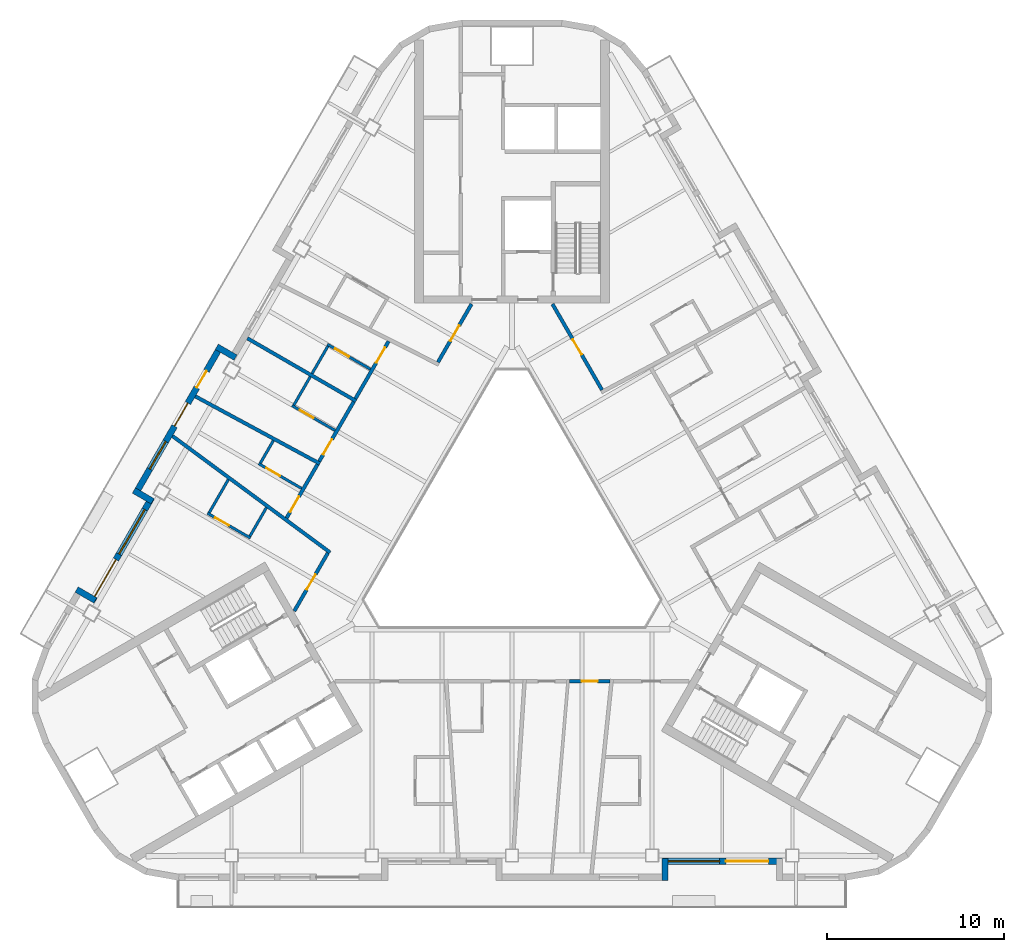
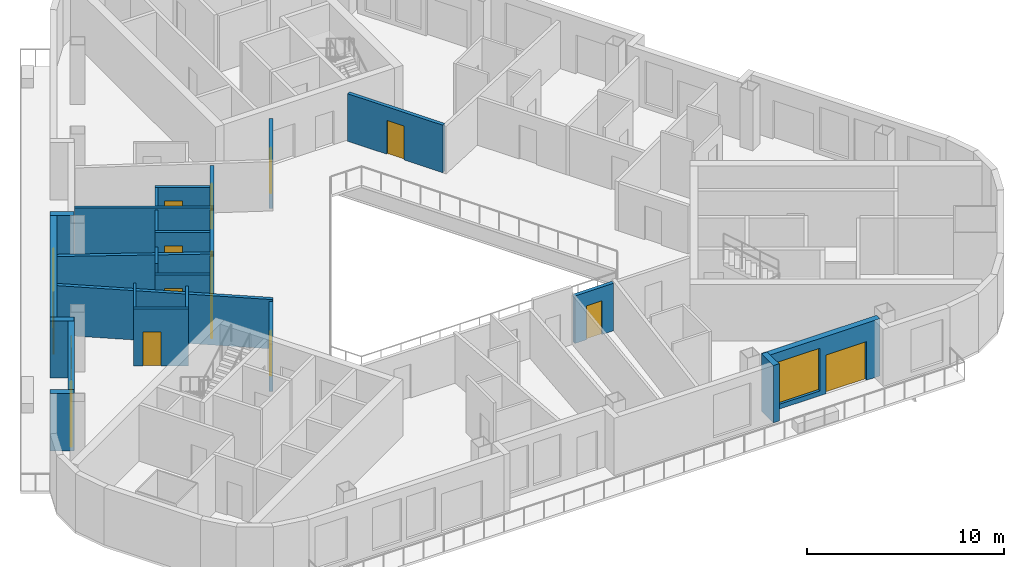
# One storey, part 4 of 14: 26 walls, 15 doors, 3 windows, 18 openings.
"""IFC4 building model written with IfcOpenShell, lengths in metres."""

from ifc_helpers import new_model, si_unit, direction, frame, frame_2d, origin, place, context, subcontext, project, spatial, rectangle, extrude, material, layer, layer_set, type_object, element, fill, save


model = new_model("IFC4")

# Units and contexts
model_context = context("Model", 3, precision=1e-05, world=origin(), true_north=direction((0.0, 1.0)))
body_context = subcontext(model_context, "Body", "Model", "MODEL_VIEW")
ifc_project = project(units=[si_unit("LENGTHUNIT", "METRE"), si_unit("AREAUNIT", "SQUARE_METRE"), si_unit("VOLUMEUNIT", "CUBIC_METRE"), si_unit("PLANEANGLEUNIT", "RADIAN"), si_unit("MASSUNIT", "GRAM", prefix="KILO")], contexts=[model_context])

# Site, building, storey
site_placement = place(None, origin())
site = spatial("IfcSite", under=ifc_project, at=site_placement, CompositionType="ELEMENT")
building_placement = place(site_placement, origin())
building = spatial("IfcBuilding", under=site, at=building_placement, Name="Apuvela Tower Hotel", CompositionType="ELEMENT")
storey_placement = place(building_placement, frame((0.0, 0.0, 205.800048828125)))
storey = spatial("IfcBuildingStorey", under=building, at=storey_placement, Name="L50", CompositionType="ELEMENT", Elevation=205.800048828125)

# Wall
ifc_material_1 = material(Name="Concrete C40/50, dark pigmented precast panel", Category="concrete")
ifc_layer_1 = layer(ifc_material_1, 0.35009765625)
ifc_layer_set_1 = layer_set([ifc_layer_1], Name="ENV-WALL-350")
wall_type_1 = type_object("IfcWallType", Name="ENV-WALL-350", PredefinedType="SOLIDWALL", material=ifc_layer_set_1)
wall_1_placement = place(storey_placement, frame((-15.580810546875, 9.8330078125, 0.0), z_axis=(0.0, 0.0, 1.0), x_axis=(-0.866055662726, 0.499947586314, 0.0)))
element("IfcWall", 1, at=wall_1_placement, inside=storey, type_object=wall_type_1, Name="External wall L50-04", PredefinedType="SOLIDWALL", context=body_context, shape_type="SweptSolid", body=[
    extrude(rectangle(XDim=1.220458984375, YDim=0.35009765625, at=frame_2d((0.6103515625, 0.0))), origin(), (0.0, 0.0, 1.0), 3.550048828125),
])

# Wall, openings, doors, window
wall_2_placement = place(storey_placement, frame((-16.3984375, 10.507080078125, 0.0), z_axis=(0.0, 0.0, 1.0), x_axis=(-0.499999142773, -0.866025898704, 0.0)))
wall_2 = element("IfcWall", 2, at=wall_2_placement, inside=storey, type_object=wall_type_1, Name="External wall L50-05", PredefinedType="SOLIDWALL", context=body_context, shape_type="SweptSolid", body=[
    extrude(rectangle(XDim=9.7001953125, YDim=0.35009765625, at=frame_2d((4.85009765625, 0.0))), origin(), (0.0, 0.0, 1.0), 3.550048828125),
])
opening_1_placement = place(wall_2_placement, frame((1.6376953125, 0.0, 0.0)))
opening_1 = element("IfcOpeningElement", 3, at=opening_1_placement, cuts=wall_2, Name="Opening BD11", PredefinedType="OPENING", context=body_context, shape_type="SweptSolid", body=[
    extrude(rectangle(XDim=1.10009765625, YDim=2.39990234375, at=frame_2d((0.550048828125, 1.199951171875))), frame((0.0, 0.18505859375, 0.0), z_axis=(0.0, -1.0, 0.0), x_axis=(1.0, 0.0, 0.0)), (0.0, 0.0, 1.0), 0.3701171875),
])
opening_2_placement = place(wall_2_placement, frame((3.740234375, 0.0, 0.0)))
opening_2 = element("IfcOpeningElement", 4, at=opening_2_placement, cuts=wall_2, Name="Opening BD15", PredefinedType="OPENING", context=body_context, shape_type="SweptSolid", body=[
    extrude(rectangle(XDim=1.5, YDim=2.39990234375, at=frame_2d((0.75, 1.199951171875))), frame((0.0, 0.18505859375, 0.0), z_axis=(0.0, -1.0, 0.0), x_axis=(1.0, 0.0, 0.0)), (0.0, 0.0, 1.0), 0.3701171875),
])
opening_3_placement = place(wall_2_placement, frame((6.231201171875, 0.0, 0.300048828125)))
opening_3 = element("IfcOpeningElement", 5, at=opening_3_placement, cuts=wall_2, Name="Opening WN18", PredefinedType="OPENING", context=body_context, shape_type="SweptSolid", body=[
    extrude(rectangle(XDim=1.800048828125, YDim=2.64990234375, at=frame_2d((0.89990234375, 1.324951171875))), frame((0.0, 0.18505859375, 0.0), z_axis=(0.0, -1.0, 0.0), x_axis=(1.0, 0.0, 0.0)), (0.0, 0.0, 1.0), 0.3701171875),
])
ifc_material_2 = material(Name="Aluminium 6063-T6, dark bronze anodised frame with dark tinted laminated glass", Category="aluminium")
door_type_1 = type_object("IfcDoorType", Name="ENV-DOOR-BALCONY-1100x2400", OperationType="SLIDING_TO_LEFT", PredefinedType="DOOR", material=ifc_material_2)
door_1_placement = place(opening_1_placement, frame((1.10009765625, 0.0, 0.0), z_axis=(0.0, 0.0, 1.0), x_axis=(-1.0, 0.0, 0.0)))
door_1 = element("IfcDoor", 6, at=door_1_placement, inside=storey, type_object=door_type_1, Name="Balcony door BD11", OperationType="SLIDING_TO_LEFT", OverallHeight=2.39990234375, OverallWidth=1.10009765625, PredefinedType="DOOR", context=body_context, shape_type="SweptSolid", body=[
    extrude(rectangle(XDim=1.10009765625, YDim=2.39990234375, at=frame_2d((0.550048828125, 1.199951171875))), frame((0.0, 0.02490234375, 0.0), z_axis=(0.0, -1.0, 0.0), x_axis=(1.0, 0.0, 0.0)), (0.0, 0.0, 1.0), 0.050048828125),
])
fill(opening_1, door_1)
door_type_2 = type_object("IfcDoorType", Name="ENV-DOOR-BALCONY-1500x2400", OperationType="SLIDING_TO_LEFT", PredefinedType="DOOR", material=ifc_material_2)
door_2_placement = place(opening_2_placement, frame((1.5, 0.0, 0.0), z_axis=(0.0, 0.0, 1.0), x_axis=(-1.0, 0.0, 0.0)))
door_2 = element("IfcDoor", 7, at=door_2_placement, inside=storey, type_object=door_type_2, Name="Balcony door BD15", OperationType="SLIDING_TO_LEFT", OverallHeight=2.39990234375, OverallWidth=1.5, PredefinedType="DOOR", context=body_context, shape_type="SweptSolid", body=[
    extrude(rectangle(XDim=1.5, YDim=2.39990234375, at=frame_2d((0.75, 1.199951171875))), frame((0.0, 0.02490234375, 0.0), z_axis=(0.0, -1.0, 0.0), x_axis=(1.0, 0.0, 0.0)), (0.0, 0.0, 1.0), 0.050048828125),
])
fill(opening_2, door_2)
ifc_material_3 = material(Name="Glass, dark tinted laminated insulated glazing unit", Category="glass")
window_type_1 = type_object("IfcWindowType", Name="ENV-WIN-1800x2650", PartitioningType="SINGLE_PANEL", PredefinedType="WINDOW", material=ifc_material_3)
window_1_placement = place(opening_3_placement, origin())
window_1 = element("IfcWindow", 8, at=window_1_placement, inside=storey, type_object=window_type_1, Name="Window WN18", OverallHeight=2.64990234375, OverallWidth=1.800048828125, PartitioningType="SINGLE_PANEL", PredefinedType="WINDOW", context=body_context, shape_type="SweptSolid", body=[
    extrude(rectangle(XDim=1.800048828125, YDim=2.64990234375, at=frame_2d((0.89990234375, 1.324951171875))), frame((0.0, 0.030029296875, 0.0), z_axis=(0.0, -1.0, 0.0), x_axis=(1.0, 0.0, 0.0)), (0.0, 0.0, 1.0), 0.06005859375),
])
fill(opening_3, window_1)

# Wall
wall_3_placement = place(storey_placement, frame((-21.3125, 2.345703125, 0.0), z_axis=(0.0, 0.0, 1.0), x_axis=(0.866005645448, -0.500034220881, 0.0)))
element("IfcWall", 9, at=wall_3_placement, inside=storey, type_object=wall_type_1, Name="External wall L50-06", PredefinedType="SOLIDWALL", context=body_context, shape_type="SweptSolid", body=[
    extrude(rectangle(XDim=1.22021484375, YDim=0.35009765625, at=frame_2d((0.610107421875, 0.0))), origin(), (0.0, 0.0, 1.0), 3.550048828125),
])

# Wall, openings, door, window
wall_4_placement = place(storey_placement, frame((-20.30908203125, 1.93359375, 0.0), z_axis=(0.0, 0.0, 1.0), x_axis=(-0.499992114976, -0.866029956157, 0.0)))
wall_4 = element("IfcWall", 10, at=wall_4_placement, inside=storey, type_object=wall_type_1, Name="External wall L50-07", PredefinedType="SOLIDWALL", context=body_context, shape_type="SweptSolid", body=[
    extrude(rectangle(XDim=6.73974609375, YDim=0.35009765625, at=frame_2d((3.369873046875, 0.0))), origin(), (0.0, 0.0, 1.0), 3.550048828125),
])
opening_4_placement = place(wall_4_placement, frame((4.02001953125, 0.0, 0.0)))
opening_4 = element("IfcOpeningElement", 11, at=opening_4_placement, cuts=wall_4, Name="Opening BD24", PredefinedType="OPENING", context=body_context, shape_type="SweptSolid", body=[
    extrude(rectangle(XDim=2.39990234375, YDim=2.39990234375, at=frame_2d((1.199951171875, 1.199951171875))), frame((0.0, 0.18505859375, 0.0), z_axis=(0.0, -1.0, 0.0), x_axis=(1.0, 0.0, 0.0)), (0.0, 0.0, 1.0), 0.3701171875),
])
opening_5_placement = place(wall_4_placement, frame((0.77001953125, 0.0, 0.300048828125)))
opening_5 = element("IfcOpeningElement", 12, at=opening_5_placement, cuts=wall_4, Name="Opening WN29", PredefinedType="OPENING", context=body_context, shape_type="SweptSolid", body=[
    extrude(rectangle(XDim=2.89990234375, YDim=2.64990234375, at=frame_2d((1.449951171875, 1.324951171875))), frame((0.0, 0.18505859375, 0.0), z_axis=(0.0, -1.0, 0.0), x_axis=(1.0, 0.0, 0.0)), (0.0, 0.0, 1.0), 0.3701171875),
])
door_type_3 = type_object("IfcDoorType", Name="ENV-DOOR-BALCONY-2400x2400", OperationType="SLIDING_TO_LEFT", PredefinedType="DOOR", material=ifc_material_2)
door_3_placement = place(opening_4_placement, frame((2.39990234375, 0.0, 0.0), z_axis=(0.0, 0.0, 1.0), x_axis=(-1.0, 0.0, 0.0)))
door_3 = element("IfcDoor", 13, at=door_3_placement, inside=storey, type_object=door_type_3, Name="Balcony door BD24", OperationType="SLIDING_TO_LEFT", OverallHeight=2.39990234375, OverallWidth=2.39990234375, PredefinedType="DOOR", context=body_context, shape_type="SweptSolid", body=[
    extrude(rectangle(XDim=2.39990234375, YDim=2.39990234375, at=frame_2d((1.199951171875, 1.199951171875))), frame((0.0, 0.02490234375, 0.0), z_axis=(0.0, -1.0, 0.0), x_axis=(1.0, 0.0, 0.0)), (0.0, 0.0, 1.0), 0.050048828125),
])
fill(opening_4, door_3)
window_type_2 = type_object("IfcWindowType", Name="ENV-WIN-2900x2650", PartitioningType="SINGLE_PANEL", PredefinedType="WINDOW", material=ifc_material_3)
window_2_placement = place(opening_5_placement, origin())
window_2 = element("IfcWindow", 14, at=window_2_placement, inside=storey, type_object=window_type_2, Name="Window WN29", OverallHeight=2.64990234375, OverallWidth=2.89990234375, PartitioningType="SINGLE_PANEL", PredefinedType="WINDOW", context=body_context, shape_type="SweptSolid", body=[
    extrude(rectangle(XDim=2.89990234375, YDim=2.64990234375, at=frame_2d((1.449951171875, 1.324951171875))), frame((0.0, 0.030029296875, 0.0), z_axis=(0.0, -1.0, 0.0), x_axis=(1.0, 0.0, 0.0)), (0.0, 0.0, 1.0), 0.06005859375),
])
fill(opening_5, window_2)

# Walls
for number, where, z_axis, x_axis, name in (
    (15, (-23.48095703125, -3.85009765625, 0.0), (0.0, 0.0, 1.0), (-0.866092288191, 0.499884134912, 0.0), "External wall L50-08"),
    (16, (8.625, -19.6298828125, 0.0), (0.0, 0.0, 1.0), (0.0, 1.0, 0.0), "External wall L50-22"),
):
    element("IfcWall", number, at=place(storey_placement, frame(where, z_axis=z_axis, x_axis=x_axis)), inside=storey, type_object=wall_type_1, Name=name, PredefinedType="SOLIDWALL", context=body_context, shape_type="SweptSolid", body=[
        extrude(rectangle(XDim=1.219970703125, YDim=0.35009765625, at=frame_2d((0.60986328125, 0.0))), origin(), (0.0, 0.0, 1.0), 3.550048828125),
    ])

# Wall, openings, door, window
wall_5_placement = place(storey_placement, frame((8.47998046875, -18.554931640625, 0.0), z_axis=(0.0, 0.0, 1.0), x_axis=(1.0, 0.0, 0.0)))
wall_5 = element("IfcWall", 17, at=wall_5_placement, inside=storey, type_object=wall_type_1, Name="External wall L50-23", PredefinedType="SOLIDWALL", context=body_context, shape_type="SweptSolid", body=[
    extrude(rectangle(XDim=6.739990234375, YDim=0.35009765625, at=frame_2d((3.3701171875, 0.0))), origin(), (0.0, 0.0, 1.0), 3.550048828125),
])
opening_6_placement = place(wall_5_placement, frame((3.570068359375, 0.0, 0.0)))
opening_6 = element("IfcOpeningElement", 18, at=opening_6_placement, cuts=wall_5, Name="Opening BD24", PredefinedType="OPENING", context=body_context, shape_type="SweptSolid", body=[
    extrude(rectangle(XDim=2.39990234375, YDim=2.39990234375, at=frame_2d((1.199951171875, 1.199951171875))), frame((0.0, 0.18505859375, 0.0), z_axis=(0.0, -1.0, 0.0), x_axis=(1.0, 0.0, 0.0)), (0.0, 0.0, 1.0), 0.3701171875),
])
opening_7_placement = place(wall_5_placement, frame((0.3203125, 0.0, 0.300048828125)))
opening_7 = element("IfcOpeningElement", 19, at=opening_7_placement, cuts=wall_5, Name="Opening WN29", PredefinedType="OPENING", context=body_context, shape_type="SweptSolid", body=[
    extrude(rectangle(XDim=2.89990234375, YDim=2.64990234375, at=frame_2d((1.449951171875, 1.324951171875))), frame((0.0, 0.18505859375, 0.0), z_axis=(0.0, -1.0, 0.0), x_axis=(1.0, 0.0, 0.0)), (0.0, 0.0, 1.0), 0.3701171875),
])
door_4_placement = place(opening_6_placement, frame((2.39990234375, 0.0, 0.0), z_axis=(0.0, 0.0, 1.0), x_axis=(-1.0, 0.0, 0.0)))
door_4 = element("IfcDoor", 20, at=door_4_placement, inside=storey, type_object=door_type_3, Name="Balcony door BD24", OperationType="SLIDING_TO_LEFT", OverallHeight=2.39990234375, OverallWidth=2.39990234375, PredefinedType="DOOR", context=body_context, shape_type="SweptSolid", body=[
    extrude(rectangle(XDim=2.39990234375, YDim=2.39990234375, at=frame_2d((1.199951171875, 1.199951171875))), frame((0.0, 0.02490234375, 0.0), z_axis=(0.0, -1.0, 0.0), x_axis=(1.0, 0.0, 0.0)), (0.0, 0.0, 1.0), 0.050048828125),
])
fill(opening_6, door_4)
window_3_placement = place(opening_7_placement, origin())
window_3 = element("IfcWindow", 21, at=window_3_placement, inside=storey, type_object=window_type_2, Name="Window WN29", OverallHeight=2.64990234375, OverallWidth=2.89990234375, PartitioningType="SINGLE_PANEL", PredefinedType="WINDOW", context=body_context, shape_type="SweptSolid", body=[
    extrude(rectangle(XDim=2.89990234375, YDim=2.64990234375, at=frame_2d((1.449951171875, 1.324951171875))), frame((0.0, 0.030029296875, 0.0), z_axis=(0.0, -1.0, 0.0), x_axis=(1.0, 0.0, 0.0)), (0.0, 0.0, 1.0), 0.06005859375),
])
fill(opening_7, window_3)

# Walls
ifc_material_4 = material(Name="Gypsum board partition on twin steel stud", Category="steel")
ifc_layer_2 = layer(ifc_material_4, 0.199951171875)
ifc_layer_set_2 = layer_set([ifc_layer_2], Name="GST-PW1")
wall_type_2 = type_object("IfcWallType", Name="GST-PW1", PredefinedType="PARTITIONING", material=ifc_layer_set_2)
wall_6_placement = place(storey_placement, frame((-14.91748046875, 10.922119140625, 0.0), z_axis=(0.0, 0.0, 1.0), x_axis=(0.866019052629, -0.500011000363, 0.0)))
element("IfcWall", 22, at=wall_6_placement, inside=storey, type_object=wall_type_2, Name="L50 partition 08", PredefinedType="PARTITIONING", context=body_context, shape_type="SweptSolid", body=[
    extrude(rectangle(XDim=7.079833984375, YDim=0.199951171875, at=frame_2d((3.5400390625, 0.0))), origin(), (0.0, 0.0, 1.0), 3.06005859375),
])
wall_7_placement = place(storey_placement, frame((-17.846923828125, 7.648193359375, 0.0), z_axis=(0.0, 0.0, 1.0), x_axis=(0.879604495132, -0.475705720109, 0.0)))
element("IfcWall", 23, at=wall_7_placement, inside=storey, type_object=wall_type_2, Name="L50 partition 09", PredefinedType="PARTITIONING", context=body_context, shape_type="SweptSolid", body=[
    extrude(rectangle(XDim=7.983154296875, YDim=0.199951171875, at=frame_2d((3.99169921875, 0.0))), origin(), (0.0, 0.0, 1.0), 3.06005859375),
])
wall_8_placement = place(storey_placement, frame((-19.136962890625, 5.413818359375, 0.0), z_axis=(0.0, 0.0, 1.0), x_axis=(0.804306065669, -0.594215241077, 0.0)))
element("IfcWall", 24, at=wall_8_placement, inside=storey, type_object=wall_type_2, Name="L50 partition 10", PredefinedType="PARTITIONING", context=body_context, shape_type="SweptSolid", body=[
    extrude(rectangle(XDim=11.050048828125, YDim=0.199951171875, at=frame_2d((5.52490234375, 0.0))), origin(), (0.0, 0.0, 1.0), 3.06005859375),
])

# Wall, opening, door
ifc_material_5 = material(Name="Gypsum board corridor wall on twin steel stud, acoustic", Category="steel")
ifc_layer_3 = layer(ifc_material_5, 0.199951171875)
ifc_layer_set_3 = layer_set([ifc_layer_3], Name="GST-PW2")
wall_type_3 = type_object("IfcWallType", Name="GST-PW2", PredefinedType="PARTITIONING", material=ifc_layer_set_3)
wall_9_placement = place(storey_placement, frame((5.510009765625, -8.39990234375, 0.0), z_axis=(0.0, 0.0, 1.0), x_axis=(-1.0, 0.0, 0.0)))
wall_9 = element("IfcWall", 25, at=wall_9_placement, inside=storey, type_object=wall_type_3, Name="L50 partition 20", PredefinedType="PARTITIONING", context=body_context, shape_type="SweptSolid", body=[
    extrude(rectangle(XDim=2.276611328125, YDim=0.199951171875, at=frame_2d((1.13818359375, 0.0))), origin(), (0.0, 0.0, 1.0), 2.949951171875),
])
opening_8_placement = place(wall_9_placement, frame((0.688232421875, 0.0, 0.0)))
opening_8 = element("IfcOpeningElement", 26, at=opening_8_placement, cuts=wall_9, Name="Opening GD19-06", PredefinedType="OPENING", context=body_context, shape_type="SweptSolid", body=[
    extrude(rectangle(XDim=0.89990234375, YDim=2.10009765625, at=frame_2d((0.449951171875, 1.050048828125))), frame((0.0, 0.10986328125, 0.0), z_axis=(0.0, -1.0, 0.0), x_axis=(1.0, 0.0, 0.0)), (0.0, 0.0, 1.0), 0.219970703125),
])
ifc_material_6 = material(Name="Timber door leaf in steel frame", Category="steel")
door_type_4 = type_object("IfcDoorType", Name="GST-D2", OperationType="NOTDEFINED", PredefinedType="DOOR", material=ifc_material_6)
door_5_placement = place(opening_8_placement, origin())
door_5 = element("IfcDoor", 27, at=door_5_placement, inside=storey, type_object=door_type_4, Name="Door L50-06", OperationType="SINGLE_SWING_RIGHT", OverallHeight=2.10009765625, OverallWidth=0.89990234375, PredefinedType="DOOR", context=body_context, shape_type="SweptSolid", body=[
    extrude(rectangle(XDim=0.89990234375, YDim=2.10009765625, at=frame_2d((0.449951171875, 1.050048828125))), frame((0.0, 0.02490234375, 0.0), z_axis=(0.0, -1.0, 0.0), x_axis=(1.0, 0.0, 0.0)), (0.0, 0.0, 1.0), 0.050048828125),
])
fill(opening_8, door_5)

wall_10_placement = place(storey_placement, frame((2.280517578125, 12.85009765625, 0.0), z_axis=(0.0, 0.0, 1.0), x_axis=(0.500003731568, -0.866023249352, 0.0)))
wall_10 = element("IfcWall", 28, at=wall_10_placement, inside=storey, type_object=wall_type_3, Name="L50 partition 35", PredefinedType="PARTITIONING", context=body_context, shape_type="SweptSolid", body=[
    extrude(rectangle(XDim=5.5849609375, YDim=0.199951171875, at=frame_2d((2.79248046875, 0.0))), origin(), (0.0, 0.0, 1.0), 2.949951171875),
])
opening_9_placement = place(wall_10_placement, frame((2.29248046875, 0.0, 0.0)))
opening_9 = element("IfcOpeningElement", 29, at=opening_9_placement, cuts=wall_10, Name="Opening GD19-16", PredefinedType="OPENING", context=body_context, shape_type="SweptSolid", body=[
    extrude(rectangle(XDim=1.0, YDim=2.10009765625, at=frame_2d((0.5, 1.050048828125))), frame((0.0, 0.10986328125, 0.0), z_axis=(0.0, -1.0, 0.0), x_axis=(1.0, 0.0, 0.0)), (0.0, 0.0, 1.0), 0.219970703125),
])
door_type_5 = type_object("IfcDoorType", Name="GST-D1", OperationType="NOTDEFINED", PredefinedType="DOOR", material=ifc_material_6)
door_6_placement = place(opening_9_placement, origin())
door_6 = element("IfcDoor", 30, at=door_6_placement, inside=storey, type_object=door_type_5, Name="Door L50-16", OperationType="SINGLE_SWING_RIGHT", OverallHeight=2.10009765625, OverallWidth=1.0, PredefinedType="DOOR", context=body_context, shape_type="SweptSolid", body=[
    extrude(rectangle(XDim=1.0, YDim=2.10009765625, at=frame_2d((0.5, 1.050048828125))), frame((0.0, 0.02490234375, 0.0), z_axis=(0.0, -1.0, 0.0), x_axis=(1.0, 0.0, 0.0)), (0.0, 0.0, 1.0), 0.050048828125),
])
fill(opening_9, door_6)

wall_11_placement = place(storey_placement, frame((-4.171630859375, 9.574462890625, 0.0), z_axis=(0.0, 0.0, 1.0), x_axis=(0.499985062256, 0.866034027923, 0.0)))
wall_11 = element("IfcWall", 31, at=wall_11_placement, inside=storey, type_object=wall_type_3, Name="L50 partition 39", PredefinedType="PARTITIONING", context=body_context, shape_type="SweptSolid", body=[
    extrude(rectangle(XDim=3.7822265625, YDim=0.199951171875, at=frame_2d((1.89111328125, 0.0))), origin(), (0.0, 0.0, 1.0), 2.949951171875),
])
opening_10_placement = place(wall_11_placement, frame((1.39111328125, 0.0, 0.0)))
opening_10 = element("IfcOpeningElement", 32, at=opening_10_placement, cuts=wall_11, Name="Opening GD19-18", PredefinedType="OPENING", context=body_context, shape_type="SweptSolid", body=[
    extrude(rectangle(XDim=1.0, YDim=2.10009765625, at=frame_2d((0.5, 1.050048828125))), frame((0.0, 0.10986328125, 0.0), z_axis=(0.0, -1.0, 0.0), x_axis=(1.0, 0.0, 0.0)), (0.0, 0.0, 1.0), 0.219970703125),
])
door_7_placement = place(opening_10_placement, origin())
door_7 = element("IfcDoor", 33, at=door_7_placement, inside=storey, type_object=door_type_5, Name="Door L50-18", OperationType="SINGLE_SWING_LEFT", OverallHeight=2.10009765625, OverallWidth=1.0, PredefinedType="DOOR", context=body_context, shape_type="SweptSolid", body=[
    extrude(rectangle(XDim=1.0, YDim=2.10009765625, at=frame_2d((0.5, 1.050048828125))), frame((0.0, 0.02490234375, 0.0), z_axis=(0.0, -1.0, 0.0), x_axis=(1.0, 0.0, 0.0)), (0.0, 0.0, 1.0), 0.050048828125),
])
fill(opening_10, door_7)

wall_12_placement = place(storey_placement, frame((-8.82275390625, 7.518798828125, 0.0), z_axis=(0.0, 0.0, 1.0), x_axis=(0.500026055714, 0.866010359988, 0.0)))
wall_12 = element("IfcWall", 34, at=wall_12_placement, inside=storey, type_object=wall_type_3, Name="L50 partition 43", PredefinedType="PARTITIONING", context=body_context, shape_type="SweptSolid", body=[
    extrude(rectangle(XDim=3.735595703125, YDim=0.199951171875, at=frame_2d((1.86767578125, 0.0))), origin(), (0.0, 0.0, 1.0), 2.949951171875),
])
opening_11_placement = place(wall_12_placement, frame((2.335693359375, 0.0, 0.0)))
opening_11 = element("IfcOpeningElement", 35, at=opening_11_placement, cuts=wall_12, Name="Opening GD19-20", PredefinedType="OPENING", context=body_context, shape_type="SweptSolid", body=[
    extrude(rectangle(XDim=1.0, YDim=2.10009765625, at=frame_2d((0.5, 1.050048828125))), frame((0.0, 0.10986328125, 0.0), z_axis=(0.0, -1.0, 0.0), x_axis=(1.0, 0.0, 0.0)), (0.0, 0.0, 1.0), 0.219970703125),
])
door_8_placement = place(opening_11_placement, origin())
door_8 = element("IfcDoor", 36, at=door_8_placement, inside=storey, type_object=door_type_5, Name="Door L50-20", OperationType="SINGLE_SWING_RIGHT", OverallHeight=2.10009765625, OverallWidth=1.0, PredefinedType="DOOR", context=body_context, shape_type="SweptSolid", body=[
    extrude(rectangle(XDim=1.0, YDim=2.10009765625, at=frame_2d((0.5, 1.050048828125))), frame((0.0, 0.02490234375, 0.0), z_axis=(0.0, -1.0, 0.0), x_axis=(1.0, 0.0, 0.0)), (0.0, 0.0, 1.0), 0.050048828125),
])
fill(opening_11, door_8)

wall_13_placement = place(storey_placement, frame((-10.863037109375, 3.984619140625, 0.0), z_axis=(0.0, 0.0, 1.0), x_axis=(0.500009256921, 0.866020059232, 0.0)))
wall_13 = element("IfcWall", 37, at=wall_13_placement, inside=storey, type_object=wall_type_3, Name="L50 partition 46", PredefinedType="PARTITIONING", context=body_context, shape_type="SweptSolid", body=[
    extrude(rectangle(XDim=3.880859375, YDim=0.199951171875, at=frame_2d((1.9404296875, 0.0))), origin(), (0.0, 0.0, 1.0), 2.949951171875),
])
opening_12_placement = place(wall_13_placement, frame((0.440185546875, 0.0, 0.0)))
opening_12 = element("IfcOpeningElement", 38, at=opening_12_placement, cuts=wall_13, Name="Opening GD19-22", PredefinedType="OPENING", context=body_context, shape_type="SweptSolid", body=[
    extrude(rectangle(XDim=1.0, YDim=2.10009765625, at=frame_2d((0.5, 1.050048828125))), frame((0.0, 0.10986328125, 0.0), z_axis=(0.0, -1.0, 0.0), x_axis=(1.0, 0.0, 0.0)), (0.0, 0.0, 1.0), 0.219970703125),
])
door_9_placement = place(opening_12_placement, origin())
door_9 = element("IfcDoor", 39, at=door_9_placement, inside=storey, type_object=door_type_5, Name="Door L50-22", OperationType="SINGLE_SWING_LEFT", OverallHeight=2.10009765625, OverallWidth=1.0, PredefinedType="DOOR", context=body_context, shape_type="SweptSolid", body=[
    extrude(rectangle(XDim=1.0, YDim=2.10009765625, at=frame_2d((0.5, 1.050048828125))), frame((0.0, 0.02490234375, 0.0), z_axis=(0.0, -1.0, 0.0), x_axis=(1.0, 0.0, 0.0)), (0.0, 0.0, 1.0), 0.050048828125),
])
fill(opening_12, door_9)

wall_14_placement = place(storey_placement, frame((-12.708251953125, 0.78857421875, 0.0), z_axis=(0.0, 0.0, 1.0), x_axis=(0.49999088835, 0.866030664334, 0.0)))
wall_14 = element("IfcWall", 40, at=wall_14_placement, inside=storey, type_object=wall_type_3, Name="L50 partition 49", PredefinedType="PARTITIONING", context=body_context, shape_type="SweptSolid", body=[
    extrude(rectangle(XDim=3.490234375, YDim=0.199951171875, at=frame_2d((1.7451171875, 0.0))), origin(), (0.0, 0.0, 1.0), 2.949951171875),
])
opening_13_placement = place(wall_14_placement, frame((0.39990234375, 0.0, 0.0)))
opening_13 = element("IfcOpeningElement", 41, at=opening_13_placement, cuts=wall_14, Name="Opening GD19-24", PredefinedType="OPENING", context=body_context, shape_type="SweptSolid", body=[
    extrude(rectangle(XDim=1.0, YDim=2.10009765625, at=frame_2d((0.5, 1.050048828125))), frame((0.0, 0.10986328125, 0.0), z_axis=(0.0, -1.0, 0.0), x_axis=(1.0, 0.0, 0.0)), (0.0, 0.0, 1.0), 0.219970703125),
])
door_10_placement = place(opening_13_placement, origin())
door_10 = element("IfcDoor", 42, at=door_10_placement, inside=storey, type_object=door_type_5, Name="Door L50-24", OperationType="SINGLE_SWING_LEFT", OverallHeight=2.10009765625, OverallWidth=1.0, PredefinedType="DOOR", context=body_context, shape_type="SweptSolid", body=[
    extrude(rectangle(XDim=1.0, YDim=2.10009765625, at=frame_2d((0.5, 1.050048828125))), frame((0.0, 0.02490234375, 0.0), z_axis=(0.0, -1.0, 0.0), x_axis=(1.0, 0.0, 0.0)), (0.0, 0.0, 1.0), 0.050048828125),
])
fill(opening_13, door_10)

wall_15_placement = place(storey_placement, frame((-12.268798828125, -4.449951171875, 0.0), z_axis=(0.0, 0.0, 1.0), x_axis=(0.500019063067, 0.866014397438, 0.0)))
wall_15 = element("IfcWall", 43, at=wall_15_placement, inside=storey, type_object=wall_type_3, Name="L50 partition 52", PredefinedType="PARTITIONING", context=body_context, shape_type="SweptSolid", body=[
    extrude(rectangle(XDim=3.776123046875, YDim=0.199951171875, at=frame_2d((1.88818359375, 0.0))), origin(), (0.0, 0.0, 1.0), 2.949951171875),
])
opening_14_placement = place(wall_15_placement, frame((1.38818359375, 0.0, 0.0)))
opening_14 = element("IfcOpeningElement", 44, at=opening_14_placement, cuts=wall_15, Name="Opening GD19-26", PredefinedType="OPENING", context=body_context, shape_type="SweptSolid", body=[
    extrude(rectangle(XDim=1.0, YDim=2.10009765625, at=frame_2d((0.5, 1.050048828125))), frame((0.0, 0.10986328125, 0.0), z_axis=(0.0, -1.0, 0.0), x_axis=(1.0, 0.0, 0.0)), (0.0, 0.0, 1.0), 0.219970703125),
])
door_11_placement = place(opening_14_placement, origin())
door_11 = element("IfcDoor", 45, at=door_11_placement, inside=storey, type_object=door_type_5, Name="Door L50-26", OperationType="SINGLE_SWING_RIGHT", OverallHeight=2.10009765625, OverallWidth=1.0, PredefinedType="DOOR", context=body_context, shape_type="SweptSolid", body=[
    extrude(rectangle(XDim=1.0, YDim=2.10009765625, at=frame_2d((0.5, 1.050048828125))), frame((0.0, 0.02490234375, 0.0), z_axis=(0.0, -1.0, 0.0), x_axis=(1.0, 0.0, 0.0)), (0.0, 0.0, 1.0), 0.050048828125),
])
fill(opening_14, door_11)

ifc_material_7 = material(Name="Moisture-resistant gypsum board wet wall on steel stud", Category="steel")
ifc_layer_4 = layer(ifc_material_7, 0.14990234375)
ifc_layer_set_4 = layer_set([ifc_layer_4], Name="GST-PW3")
wall_type_4 = type_object("IfcWallType", Name="GST-PW3", PredefinedType="PARTITIONING", material=ifc_layer_set_4)
wall_16_placement = place(storey_placement, frame((-7.97900390625, 9.18017578125, 0.0), z_axis=(0.0, 0.0, 1.0), x_axis=(-0.866034573852, 0.49998411664, 0.0)))
wall_16 = element("IfcWall", 46, at=wall_16_placement, inside=storey, type_object=wall_type_4, Name="L50 partition 44", PredefinedType="PARTITIONING", context=body_context, shape_type="SweptSolid", body=[
    extrude(rectangle(XDim=2.7998046875, YDim=0.14990234375, at=frame_2d((1.39990234375, 0.0))), origin(), (0.0, 0.0, 1.0), 2.949951171875),
])
opening_15_placement = place(wall_16_placement, frame((1.39990234375, 0.0, 0.0)))
opening_15 = element("IfcOpeningElement", 47, at=opening_15_placement, cuts=wall_16, Name="Opening GD19-19", PredefinedType="OPENING", context=body_context, shape_type="SweptSolid", body=[
    extrude(rectangle(XDim=0.89990234375, YDim=2.10009765625, at=frame_2d((0.449951171875, 1.050048828125))), frame((0.0, 0.0849609375, 0.0), z_axis=(0.0, -1.0, 0.0), x_axis=(1.0, 0.0, 0.0)), (0.0, 0.0, 1.0), 0.169921875),
])
door_12_placement = place(opening_15_placement, origin())
door_12 = element("IfcDoor", 48, at=door_12_placement, inside=storey, type_object=door_type_4, Name="Door L50-19", OperationType="SINGLE_SWING_RIGHT", OverallHeight=2.10009765625, OverallWidth=0.89990234375, PredefinedType="DOOR", context=body_context, shape_type="SweptSolid", body=[
    extrude(rectangle(XDim=0.89990234375, YDim=2.10009765625, at=frame_2d((0.449951171875, 1.050048828125))), frame((0.0, 0.02490234375, 0.0), z_axis=(0.0, -1.0, 0.0), x_axis=(1.0, 0.0, 0.0)), (0.0, 0.0, 1.0), 0.050048828125),
])
fill(opening_15, door_12)

# Wall
wall_17_placement = place(storey_placement, frame((-10.376220703125, 10.4775390625, 0.0), z_axis=(0.0, 0.0, 1.0), x_axis=(-0.500109033781, -0.865962443949, 0.0)))
element("IfcWall", 49, at=wall_17_placement, inside=storey, type_object=wall_type_4, Name="L50 partition 45", PredefinedType="PARTITIONING", context=body_context, shape_type="SweptSolid", body=[
    extrude(rectangle(XDim=1.78564453125, YDim=0.14990234375, at=frame_2d((0.892822265625, 0.0))), origin(), (0.0, 0.0, 1.0), 2.949951171875),
])

# Wall, opening, door
wall_18_placement = place(storey_placement, frame((-12.396728515625, 7.12841796875, 0.0), z_axis=(0.0, 0.0, 1.0), x_axis=(0.866018616679, -0.500011755427, 0.0)))
wall_18 = element("IfcWall", 50, at=wall_18_placement, inside=storey, type_object=wall_type_4, Name="L50 partition 47", PredefinedType="PARTITIONING", context=body_context, shape_type="SweptSolid", body=[
    extrude(rectangle(XDim=2.80029296875, YDim=0.14990234375, at=frame_2d((1.400146484375, 0.0))), origin(), (0.0, 0.0, 1.0), 2.949951171875),
])
opening_16_placement = place(wall_18_placement, frame((0.5, 0.0, 0.0)))
opening_16 = element("IfcOpeningElement", 51, at=opening_16_placement, cuts=wall_18, Name="Opening GD19-21", PredefinedType="OPENING", context=body_context, shape_type="SweptSolid", body=[
    extrude(rectangle(XDim=0.89990234375, YDim=2.10009765625, at=frame_2d((0.449951171875, 1.050048828125))), frame((0.0, 0.0849609375, 0.0), z_axis=(0.0, -1.0, 0.0), x_axis=(1.0, 0.0, 0.0)), (0.0, 0.0, 1.0), 0.169921875),
])
door_13_placement = place(opening_16_placement, origin())
door_13 = element("IfcDoor", 52, at=door_13_placement, inside=storey, type_object=door_type_4, Name="Door L50-21", OperationType="SINGLE_SWING_LEFT", OverallHeight=2.10009765625, OverallWidth=0.89990234375, PredefinedType="DOOR", context=body_context, shape_type="SweptSolid", body=[
    extrude(rectangle(XDim=0.89990234375, YDim=2.10009765625, at=frame_2d((0.449951171875, 1.050048828125))), frame((0.0, 0.02490234375, 0.0), z_axis=(0.0, -1.0, 0.0), x_axis=(1.0, 0.0, 0.0)), (0.0, 0.0, 1.0), 0.050048828125),
])
fill(opening_16, door_13)

# Wall
wall_19_placement = place(storey_placement, frame((-11.369140625, 8.7578125, 0.0), z_axis=(0.0, 0.0, 1.0), x_axis=(-0.500042316284, -0.866000971088, 0.0)))
element("IfcWall", 53, at=wall_19_placement, inside=storey, type_object=wall_type_4, Name="L50 partition 48", PredefinedType="PARTITIONING", context=body_context, shape_type="SweptSolid", body=[
    extrude(rectangle(XDim=1.849853515625, YDim=0.14990234375, at=frame_2d((0.9248046875, 0.0))), origin(), (0.0, 0.0, 1.0), 2.949951171875),
])

# Wall, opening, door
wall_20_placement = place(storey_placement, frame((-14.28369140625, 3.860107421875, 0.0), z_axis=(0.0, 0.0, 1.0), x_axis=(0.865996816683, -0.500049511043, 0.0)))
wall_20 = element("IfcWall", 54, at=wall_20_placement, inside=storey, type_object=wall_type_4, Name="L50 partition 50", PredefinedType="PARTITIONING", context=body_context, shape_type="SweptSolid", body=[
    extrude(rectangle(XDim=2.800048828125, YDim=0.14990234375, at=frame_2d((1.39990234375, 0.0))), origin(), (0.0, 0.0, 1.0), 2.949951171875),
])
opening_17_placement = place(wall_20_placement, frame((0.5, 0.0, 0.0)))
opening_17 = element("IfcOpeningElement", 55, at=opening_17_placement, cuts=wall_20, Name="Opening GD19-23", PredefinedType="OPENING", context=body_context, shape_type="SweptSolid", body=[
    extrude(rectangle(XDim=0.89990234375, YDim=2.10009765625, at=frame_2d((0.449951171875, 1.050048828125))), frame((0.0, 0.0849609375, 0.0), z_axis=(0.0, -1.0, 0.0), x_axis=(1.0, 0.0, 0.0)), (0.0, 0.0, 1.0), 0.169921875),
])
door_14_placement = place(opening_17_placement, origin())
door_14 = element("IfcDoor", 56, at=door_14_placement, inside=storey, type_object=door_type_4, Name="Door L50-23", OperationType="SINGLE_SWING_LEFT", OverallHeight=2.10009765625, OverallWidth=0.89990234375, PredefinedType="DOOR", context=body_context, shape_type="SweptSolid", body=[
    extrude(rectangle(XDim=0.89990234375, YDim=2.10009765625, at=frame_2d((0.449951171875, 1.050048828125))), frame((0.0, 0.02490234375, 0.0), z_axis=(0.0, -1.0, 0.0), x_axis=(1.0, 0.0, 0.0)), (0.0, 0.0, 1.0), 0.050048828125),
])
fill(opening_17, door_14)

# Wall
wall_21_placement = place(storey_placement, frame((-13.448974609375, 5.15576171875, 0.0), z_axis=(0.0, 0.0, 1.0), x_axis=(-0.499958157915, -0.866049559976, 0.0)))
element("IfcWall", 57, at=wall_21_placement, inside=storey, type_object=wall_type_4, Name="L50 partition 51", PredefinedType="PARTITIONING", context=body_context, shape_type="SweptSolid", body=[
    extrude(rectangle(XDim=1.464599609375, YDim=0.14990234375, at=frame_2d((0.732421875, 0.0))), origin(), (0.0, 0.0, 1.0), 3.550048828125),
])

# Wall, opening, door
wall_22_placement = place(storey_placement, frame((-17.16748046875, 1.064697265625, 0.0), z_axis=(0.0, 0.0, 1.0), x_axis=(0.866034573852, -0.49998411664, 0.0)))
wall_22 = element("IfcWall", 58, at=wall_22_placement, inside=storey, type_object=wall_type_4, Name="L50 partition 53", PredefinedType="PARTITIONING", context=body_context, shape_type="SweptSolid", body=[
    extrude(rectangle(XDim=2.7998046875, YDim=0.14990234375, at=frame_2d((1.39990234375, 0.0))), origin(), (0.0, 0.0, 1.0), 3.550048828125),
])
opening_18_placement = place(wall_22_placement, frame((0.5, 0.0, 0.0)))
opening_18 = element("IfcOpeningElement", 59, at=opening_18_placement, cuts=wall_22, Name="Opening GD19-25", PredefinedType="OPENING", context=body_context, shape_type="SweptSolid", body=[
    extrude(rectangle(XDim=0.89990234375, YDim=2.10009765625, at=frame_2d((0.449951171875, 1.050048828125))), frame((0.0, 0.0849609375, 0.0), z_axis=(0.0, -1.0, 0.0), x_axis=(1.0, 0.0, 0.0)), (0.0, 0.0, 1.0), 0.169921875),
])
door_15_placement = place(opening_18_placement, origin())
door_15 = element("IfcDoor", 60, at=door_15_placement, inside=storey, type_object=door_type_4, Name="Door L50-25", OperationType="SINGLE_SWING_LEFT", OverallHeight=2.10009765625, OverallWidth=0.89990234375, PredefinedType="DOOR", context=body_context, shape_type="SweptSolid", body=[
    extrude(rectangle(XDim=0.89990234375, YDim=2.10009765625, at=frame_2d((0.449951171875, 1.050048828125))), frame((0.0, 0.02490234375, 0.0), z_axis=(0.0, -1.0, 0.0), x_axis=(1.0, 0.0, 0.0)), (0.0, 0.0, 1.0), 0.050048828125),
])
fill(opening_18, door_15)

# Walls
wall_23_placement = place(storey_placement, frame((-15.986083984375, 2.96142578125, 0.0), z_axis=(0.0, 0.0, 1.0), x_axis=(-0.499983569942, -0.866034889475, 0.0)))
element("IfcWall", 61, at=wall_23_placement, inside=storey, type_object=wall_type_4, Name="L50 partition 54", PredefinedType="PARTITIONING", context=body_context, shape_type="SweptSolid", body=[
    extrude(rectangle(XDim=2.158203125, YDim=0.14990234375, at=frame_2d((1.0791015625, 0.0))), origin(), (0.0, 0.0, 1.0), 3.550048828125),
])
wall_24_placement = place(storey_placement, frame((-13.8408203125, 1.376708984375, 0.0), z_axis=(0.0, 0.0, 1.0), x_axis=(-0.500109064886, -0.865962425986, 0.0)))
element("IfcWall", 62, at=wall_24_placement, inside=storey, type_object=wall_type_4, Name="L50 partition 55", PredefinedType="PARTITIONING", context=body_context, shape_type="SweptSolid", body=[
    extrude(rectangle(XDim=1.8583984375, YDim=0.14990234375, at=frame_2d((0.92919921875, 0.0))), origin(), (0.0, 0.0, 1.0), 3.550048828125),
])

save(model, "model.ifc")
